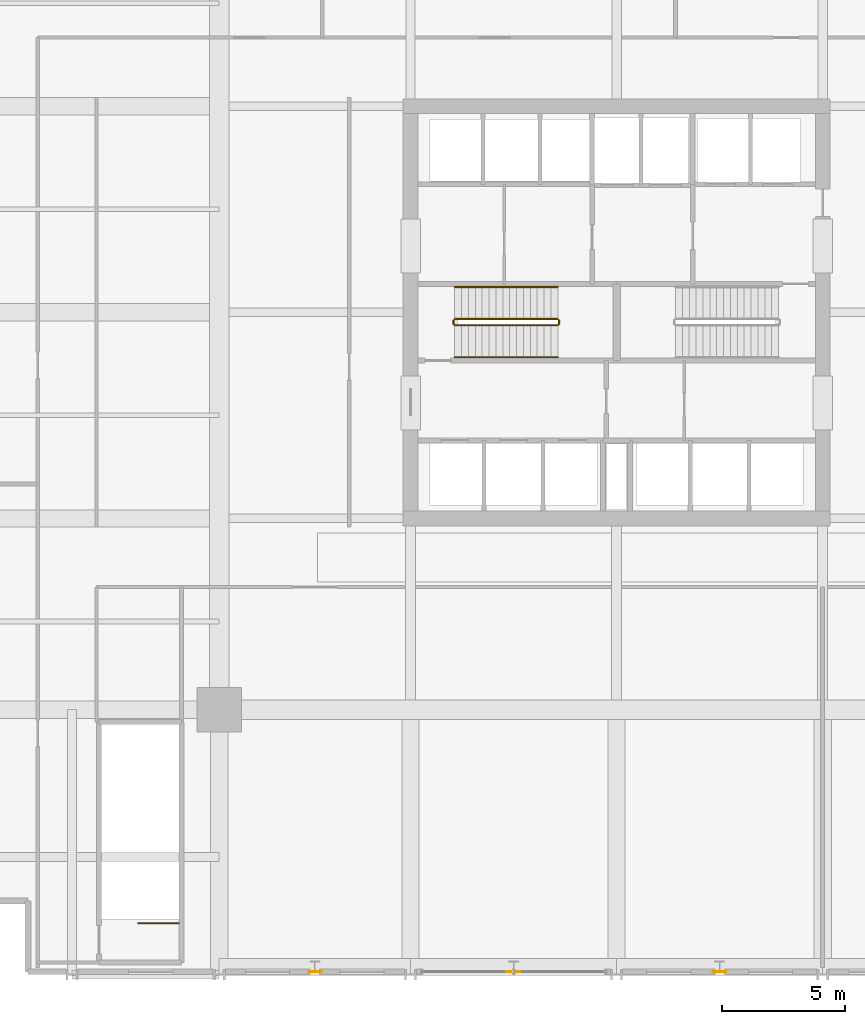
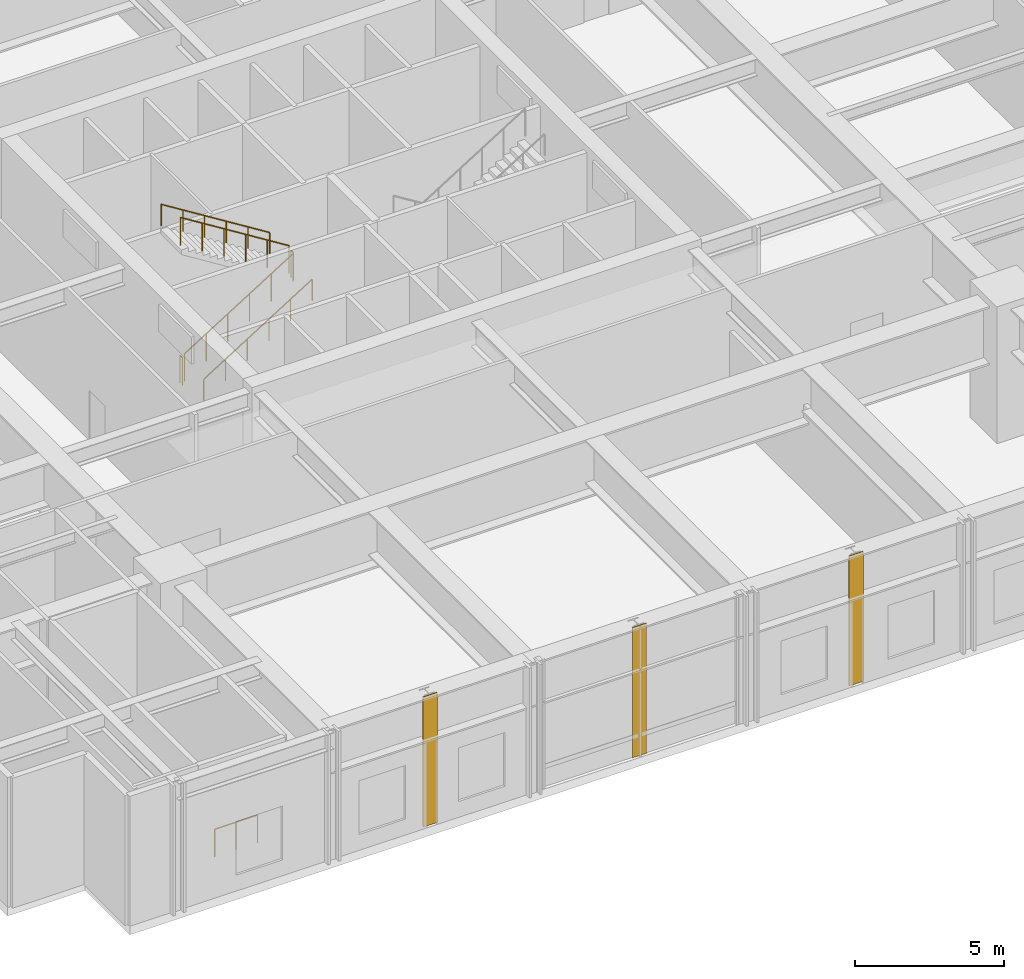
# One storey, part 15 of 19: 7 railings, 3 coverings.
"""IFC4 building model written with IfcOpenShell, lengths in metres."""

from ifc_helpers import new_model, si_unit, direction, frame, origin, origin_2d, place, context, subcontext, project, spatial, rectangle, circle, extrude, material, layer, layer_set, type_object, element, save


model = new_model("IFC4")

# Units and contexts
model_context = context("Model", 3, precision=1e-05, world=origin(), true_north=direction((0.0, 1.0)))
body_context = subcontext(model_context, "Body", "Model", "MODEL_VIEW")
ifc_project = project(units=[si_unit("LENGTHUNIT", "METRE"), si_unit("AREAUNIT", "SQUARE_METRE"), si_unit("VOLUMEUNIT", "CUBIC_METRE"), si_unit("PLANEANGLEUNIT", "RADIAN"), si_unit("MASSUNIT", "GRAM", prefix="KILO")], contexts=[model_context])

# Site, building, storey
site_placement = place(None, origin())
site = spatial("IfcSite", under=ifc_project, at=site_placement, CompositionType="ELEMENT")
building_placement = place(site_placement, origin())
building = spatial("IfcBuilding", under=site, at=building_placement, Name="Drelvath Grand Hotel", CompositionType="ELEMENT")
storey_placement = place(building_placement, frame((0.0, 0.0, 27.60009765625)))
storey = spatial("IfcBuildingStorey", under=building, at=storey_placement, Name="L05", CompositionType="ELEMENT", Elevation=27.60009765625)

# Coverings
ifc_material_1 = material(Name="Warm Bronze Anodised Aluminium Cladding", Category="aluminium")
ifc_layer = layer(ifc_material_1, 0.034912109375)
ifc_layer_set = layer_set([ifc_layer], Name="Warm Bronze Anodised Aluminium Cladding")
covering_type = type_object("IfcCoveringType", Name="Bronze Anodised Pier Cladding Panel 35", PredefinedType="CLADDING", material=ifc_layer_set)
for number, where, z_axis, x_axis, name in (
    (1, (-12.300048828125, 0.1201171875, 0.0), (0.0, 0.0, 1.0), (1.0, 0.0, 0.0), "L05 Colonnade Bronze Pier Cladding S1"),
    (2, (-4.199951171875, 0.1201171875, 0.0), (0.0, 0.0, 1.0), (1.0, 0.0, 0.0), "L05 Colonnade Bronze Pier Cladding S2"),
    (3, (4.199951171875, 0.1201171875, 0.0), (0.0, 0.0, 1.0), (1.0, 0.0, 0.0), "L05 Colonnade Bronze Pier Cladding S3"),
):
    element("IfcCovering", number, at=place(storey_placement, frame(where, z_axis=z_axis, x_axis=x_axis)), inside=storey, type_object=covering_type, Name=name, PredefinedType="CLADDING", context=body_context, shape_type="SweptSolid", body=[
        extrude(rectangle(XDim=0.550048828125, YDim=0.034912109375, at=origin_2d()), origin(), (0.0, 0.0, 1.0), 5.320068359375),
    ])

# Railings
ifc_material_2 = material(Name="Painted Steel S275", Category="steel")
railing_type_1 = type_object("IfcRailingType", Name="Core Stair Wall Handrail 900", PredefinedType="HANDRAIL", material=ifc_material_2)
railing_1_placement = place(storey_placement, frame((-6.60009765625, 25.169921875, 0.1748046875)))
element("IfcRailing", 4, at=railing_1_placement, inside=storey, type_object=railing_type_1, Name="L05 ST-1 stair handrail 1", PredefinedType="HANDRAIL", context=body_context, shape_type="SweptSolid", body=[
    extrude(circle(Radius=0.02392578125, at=origin_2d()), frame((0.0, 0.0, 0.8759765625), z_axis=(0.848009380541, 0.0, 0.529981217134), x_axis=(0.0, 1.0, 0.0)), (0.0, 0.0, 1.0), 4.953125),
    extrude(circle(Radius=0.02099609375, at=origin_2d()), origin(), (0.0, 0.0, 1.0), 0.851806640625),
    extrude(circle(Radius=0.02099609375, at=origin_2d()), frame((0.840087890625, 0.0, 0.52490234375)), (0.0, 0.0, 1.0), 0.851806640625),
    extrude(circle(Radius=0.02099609375, at=origin_2d()), frame((1.68017578125, 0.0, 1.050048828125)), (0.0, 0.0, 1.0), 0.851806640625),
    extrude(circle(Radius=0.02099609375, at=origin_2d()), frame((2.52001953125, 0.0, 1.574951171875)), (0.0, 0.0, 1.0), 0.851806640625),
    extrude(circle(Radius=0.02099609375, at=origin_2d()), frame((3.360107421875, 0.0, 2.10009765625)), (0.0, 0.0, 1.0), 0.851806640625),
    extrude(circle(Radius=0.02099609375, at=origin_2d()), frame((4.2001953125, 0.0, 2.625)), (0.0, 0.0, 1.0), 0.851806640625),
])
railing_2_placement = place(storey_placement, frame((-2.39990234375, 28.030029296875, 2.974853515625)))
element("IfcRailing", 5, at=railing_2_placement, inside=storey, type_object=railing_type_1, Name="L05 ST-1 stair handrail 2", PredefinedType="HANDRAIL", context=body_context, shape_type="SweptSolid", body=[
    extrude(circle(Radius=0.02392578125, at=origin_2d()), frame((0.0, 0.0, 0.8759765625), z_axis=(-0.848009380541, 0.0, 0.529981217134), x_axis=(0.0, -1.0, 0.0)), (0.0, 0.0, 1.0), 4.953125),
    extrude(circle(Radius=0.02099609375, at=origin_2d()), origin(), (0.0, 0.0, 1.0), 0.851806640625),
    extrude(circle(Radius=0.02099609375, at=origin_2d()), frame((-0.840087890625, 0.0, 0.52490234375)), (0.0, 0.0, 1.0), 0.851806640625),
    extrude(circle(Radius=0.02099609375, at=origin_2d()), frame((-1.68017578125, 0.0, 1.050048828125)), (0.0, 0.0, 1.0), 0.851806640625),
    extrude(circle(Radius=0.02099609375, at=origin_2d()), frame((-2.52001953125, 0.0, 1.574951171875)), (0.0, 0.0, 1.0), 0.851806640625),
    extrude(circle(Radius=0.02099609375, at=origin_2d()), frame((-3.360107421875, 0.0, 2.10009765625)), (0.0, 0.0, 1.0), 0.851806640625),
    extrude(circle(Radius=0.02099609375, at=origin_2d()), frame((-4.2001953125, 0.0, 2.625)), (0.0, 0.0, 1.0), 0.851806640625),
])
railing_type_2 = type_object("IfcRailingType", Name="Core Stair Well Guardrail 1100", PredefinedType="GUARDRAIL", material=ifc_material_2)
railing_3_placement = place(storey_placement, frame((-6.60009765625, 26.469970703125, 0.1748046875)))
element("IfcRailing", 6, at=railing_3_placement, inside=storey, type_object=railing_type_2, Name="L05 ST-1 stair guard 1", PredefinedType="GUARDRAIL", context=body_context, shape_type="SweptSolid", body=[
    extrude(circle(Radius=0.02392578125, at=origin_2d()), frame((0.0, 0.0, 1.1259765625), z_axis=(0.848009380541, 0.0, 0.529981217134), x_axis=(0.0, 1.0, 0.0)), (0.0, 0.0, 1.0), 4.953125),
    extrude(circle(Radius=0.02099609375, at=origin_2d()), origin(), (0.0, 0.0, 1.0), 1.101806640625),
    extrude(circle(Radius=0.02099609375, at=origin_2d()), frame((0.840087890625, 0.0, 0.52490234375)), (0.0, 0.0, 1.0), 1.101806640625),
    extrude(circle(Radius=0.02099609375, at=origin_2d()), frame((1.68017578125, 0.0, 1.050048828125)), (0.0, 0.0, 1.0), 1.101806640625),
    extrude(circle(Radius=0.02099609375, at=origin_2d()), frame((2.52001953125, 0.0, 1.574951171875)), (0.0, 0.0, 1.0), 1.101806640625),
    extrude(circle(Radius=0.02099609375, at=origin_2d()), frame((3.360107421875, 0.0, 2.10009765625)), (0.0, 0.0, 1.0), 1.101806640625),
    extrude(circle(Radius=0.02099609375, at=origin_2d()), frame((4.2001953125, 0.0, 2.625)), (0.0, 0.0, 1.0), 1.101806640625),
])
railing_4_placement = place(storey_placement, frame((-2.35009765625, 26.52001953125, 2.7998046875)))
element("IfcRailing", 7, at=railing_4_placement, inside=storey, type_object=railing_type_2, Name="L05 ST-1 stair guard 2", PredefinedType="GUARDRAIL", context=body_context, shape_type="SweptSolid", body=[
    extrude(circle(Radius=0.02392578125, at=origin_2d()), frame((0.0, 0.0, 1.1259765625), z_axis=(0.0, 1.0, 0.0), x_axis=(-1.0, 0.0, 0.0)), (0.0, 0.0, 1.0), 0.159912109375),
    extrude(circle(Radius=0.02099609375, at=origin_2d()), origin(), (0.0, 0.0, 1.0), 1.101806640625),
    extrude(circle(Radius=0.02099609375, at=origin_2d()), frame((0.0, 0.159912109375, 0.0)), (0.0, 0.0, 1.0), 1.101806640625),
])
railing_5_placement = place(storey_placement, frame((-2.39990234375, 26.72998046875, 2.974853515625)))
element("IfcRailing", 8, at=railing_5_placement, inside=storey, type_object=railing_type_2, Name="L05 ST-1 stair guard 3", PredefinedType="GUARDRAIL", context=body_context, shape_type="SweptSolid", body=[
    extrude(circle(Radius=0.02392578125, at=origin_2d()), frame((0.0, 0.0, 1.1259765625), z_axis=(-0.848009380541, 0.0, 0.529981217134), x_axis=(0.0, -1.0, 0.0)), (0.0, 0.0, 1.0), 4.953125),
    extrude(circle(Radius=0.02099609375, at=origin_2d()), origin(), (0.0, 0.0, 1.0), 1.101806640625),
    extrude(circle(Radius=0.02099609375, at=origin_2d()), frame((-0.840087890625, 0.0, 0.52490234375)), (0.0, 0.0, 1.0), 1.101806640625),
    extrude(circle(Radius=0.02099609375, at=origin_2d()), frame((-1.68017578125, 0.0, 1.050048828125)), (0.0, 0.0, 1.0), 1.101806640625),
    extrude(circle(Radius=0.02099609375, at=origin_2d()), frame((-2.52001953125, 0.0, 1.574951171875)), (0.0, 0.0, 1.0), 1.101806640625),
    extrude(circle(Radius=0.02099609375, at=origin_2d()), frame((-3.360107421875, 0.0, 2.10009765625)), (0.0, 0.0, 1.0), 1.101806640625),
    extrude(circle(Radius=0.02099609375, at=origin_2d()), frame((-4.2001953125, 0.0, 2.625)), (0.0, 0.0, 1.0), 1.101806640625),
])
railing_6_placement = place(storey_placement, frame((-6.64990234375, 26.52001953125, 0.0)))
element("IfcRailing", 9, at=railing_6_placement, inside=storey, type_object=railing_type_2, Name="L05 ST-1 stair guard 4", PredefinedType="GUARDRAIL", context=body_context, shape_type="SweptSolid", body=[
    extrude(circle(Radius=0.02392578125, at=origin_2d()), frame((0.0, 0.0, 1.1259765625), z_axis=(0.0, 1.0, 0.0), x_axis=(-1.0, 0.0, 0.0)), (0.0, 0.0, 1.0), 0.159912109375),
    extrude(circle(Radius=0.02099609375, at=origin_2d()), origin(), (0.0, 0.0, 1.0), 1.101806640625),
    extrude(circle(Radius=0.02099609375, at=origin_2d()), frame((0.0, 0.159912109375, 0.0)), (0.0, 0.0, 1.0), 1.101806640625),
])
railing_7_placement = place(storey_placement, frame((-17.840087890625, 2.10009765625, 0.0)))
element("IfcRailing", 10, at=railing_7_placement, inside=storey, type_object=railing_type_2, Name="L05 ST-3 top well guard 1", PredefinedType="GUARDRAIL", context=body_context, shape_type="SweptSolid", body=[
    extrude(circle(Radius=0.02392578125, at=origin_2d()), frame((0.0, 0.0, 1.1259765625), z_axis=(-1.0, 0.0, 0.0), x_axis=(0.0, -1.0, 0.0)), (0.0, 0.0, 1.0), 1.659912109375),
    extrude(circle(Radius=0.02099609375, at=origin_2d()), origin(), (0.0, 0.0, 1.0), 1.101806640625),
    extrude(circle(Radius=0.02099609375, at=origin_2d()), frame((-0.830078125, 0.0, 0.0)), (0.0, 0.0, 1.0), 1.101806640625),
    extrude(circle(Radius=0.02099609375, at=origin_2d()), frame((-1.659912109375, 0.0, 0.0)), (0.0, 0.0, 1.0), 1.101806640625),
])

save(model, "model.ifc")
